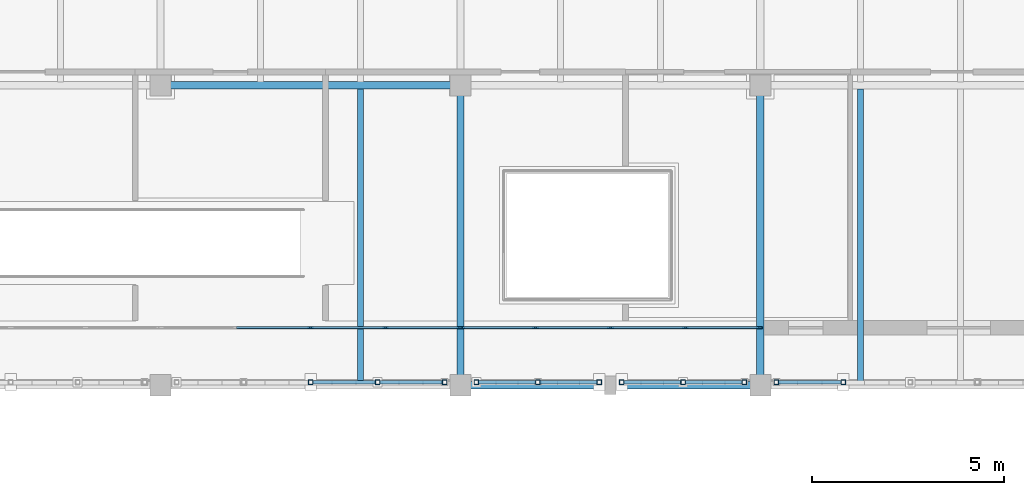
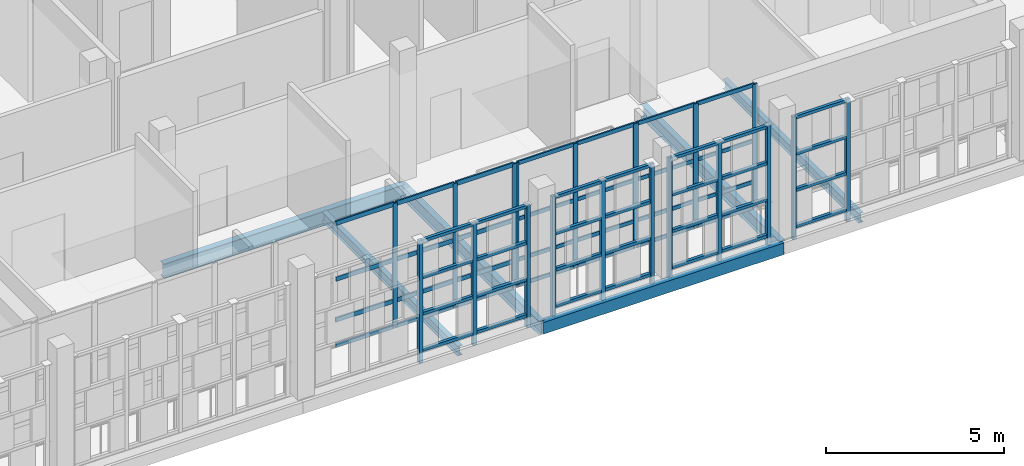
# One storey, part 58 of 119: 75 members, 6 beams, 2 elements without a shape of their own.
"""IFC4 building model written with IfcOpenShell, lengths in metres."""

from ifc_helpers import new_model, si_unit, direction, frame, origin, origin_2d, place, context, subcontext, project, spatial, rectangle, hollow_rectangle, i_section, extrude, material, layer, layer_set, material_profile, profile_set, type_object, element, aggregate, save


model = new_model("IFC4")

# Units and contexts
model_context = context("Model", 3, precision=1e-05, world=origin(), true_north=direction((0.0, 1.0)))
body_context = subcontext(model_context, "Body", "Model", "MODEL_VIEW")
ifc_project = project(units=[si_unit("LENGTHUNIT", "METRE"), si_unit("AREAUNIT", "SQUARE_METRE"), si_unit("VOLUMEUNIT", "CUBIC_METRE"), si_unit("PLANEANGLEUNIT", "RADIAN"), si_unit("MASSUNIT", "GRAM", prefix="KILO")], contexts=[model_context])

# Site, building, storey
site_placement = place(None, origin())
site = spatial("IfcSite", under=ifc_project, at=site_placement, CompositionType="ELEMENT")
building_placement = place(site_placement, origin())
building = spatial("IfcBuilding", under=site, at=building_placement, Name="Celorna Specialist Clinic", CompositionType="ELEMENT")
storey_placement = place(building_placement, frame((0.0, 0.0, 9.60009765625)))
storey = spatial("IfcBuildingStorey", under=building, at=storey_placement, Name="L02", CompositionType="ELEMENT", Elevation=9.60009765625)

# Beams
ifc_material_1 = material(Name="Steel S355", Category="steel")
ifc_material_profile_1 = material_profile(ifc_material_1, i_section(OverallWidth=0.199951171875, OverallDepth=0.5, WebThickness=0.01025390625, FlangeThickness=0.01611328125, at=origin_2d()), Name="IPE 500")
ifc_profile_set_1 = profile_set([ifc_material_profile_1], Name="Steel S355")
beam_type_1 = type_object("IfcBeamType", Name="BM-08", PredefinedType="BEAM", material=ifc_profile_set_1)
beam_1_placement = place(storey_placement, frame((109.199951171875, 104.300048828125, -0.510009765625), z_axis=(1.0, 0.0, 0.0), x_axis=(0.0, 1.0, 0.0)))
element("IfcBeam", 1, at=beam_1_placement, inside=storey, type_object=beam_type_1, Name="Primary girder BM-08 #1085", PredefinedType="BEAM", context=body_context, shape_type="SweptSolid", body=[
    extrude(i_section(OverallWidth=0.199951171875, OverallDepth=0.5, WebThickness=0.01025390625, FlangeThickness=0.01611328125, at=origin_2d()), origin(), (0.0, 0.0, 1.0), 7.800048828125),
])
ifc_material_profile_2 = material_profile(ifc_material_1, i_section(OverallWidth=0.18994140625, OverallDepth=0.449951171875, WebThickness=0.009521484375, FlangeThickness=0.0146484375, at=origin_2d()), Name="IPE 450")
ifc_profile_set_2 = profile_set([ifc_material_profile_2], Name="Steel S355")
beam_type_2 = type_object("IfcBeamType", Name="BM-09", PredefinedType="BEAM", material=ifc_profile_set_2)
for number, where, z_axis, x_axis, name in (
    (2, (117.0, 96.5, -0.485107421875), (0.0, 1.0, 0.0), (-1.0, 0.0, 0.0), "Transverse girder BM-09 #1136"),
    (3, (124.800048828125, 96.5, -0.485107421875), (0.0, 1.0, 0.0), (-1.0, 0.0, 0.0), "Transverse girder BM-09 #1139"),
):
    element("IfcBeam", number, at=place(storey_placement, frame(where, z_axis=z_axis, x_axis=x_axis)), inside=storey, type_object=beam_type_2, Name=name, PredefinedType="BEAM", context=body_context, shape_type="SweptSolid", body=[
        extrude(i_section(OverallWidth=0.18994140625, OverallDepth=0.449951171875, WebThickness=0.009521484375, FlangeThickness=0.0146484375, at=origin_2d()), origin(), (0.0, 0.0, 1.0), 7.800048828125),
    ])
ifc_material_profile_3 = material_profile(ifc_material_1, i_section(OverallWidth=0.159912109375, OverallDepth=0.330078125, WebThickness=0.007568359375, FlangeThickness=0.011474609375, at=origin_2d()), Name="IPE 330")
ifc_profile_set_3 = profile_set([ifc_material_profile_3], Name="Steel S355")
beam_type_3 = type_object("IfcBeamType", Name="BM-12", PredefinedType="JOIST", material=ifc_profile_set_3)
for number, where, z_axis, x_axis, name in (
    (4, (114.39990234375, 96.587890625, -0.425048828125), (0.0, 1.0, 0.0), (-1.0, 0.0, 0.0), "Secondary floor joist BM-12 #1188"),
    (5, (127.39990234375, 96.587890625, -0.425048828125), (0.0, 1.0, 0.0), (-1.0, 0.0, 0.0), "Secondary floor joist BM-12 #1195"),
):
    element("IfcBeam", number, at=place(storey_placement, frame(where, z_axis=z_axis, x_axis=x_axis)), inside=storey, type_object=beam_type_3, Name=name, PredefinedType="JOIST", context=body_context, shape_type="SweptSolid", body=[
        extrude(i_section(OverallWidth=0.159912109375, OverallDepth=0.330078125, WebThickness=0.007568359375, FlangeThickness=0.011474609375, at=origin_2d()), origin(), (0.0, 0.0, 1.0), 7.6240234375),
    ])
ifc_material_profile_4 = material_profile(ifc_material_1, hollow_rectangle(XDim=0.199951171875, YDim=0.39990234375, WallThickness=0.011962890625, at=origin_2d()), Name="RHS 200x400x12")
ifc_profile_set_4 = profile_set([ifc_material_profile_4], Name="Steel S355")
beam_type_4 = type_object("IfcBeamType", Name="BM-15", PredefinedType="SPANDREL", material=ifc_profile_set_4)
beam_2_placement = place(storey_placement, frame((117.0, 96.5, -0.460205078125), z_axis=(1.0, 0.0, 0.0), x_axis=(0.0, 1.0, 0.0)))
element("IfcBeam", 6, at=beam_2_placement, inside=storey, type_object=beam_type_4, Name="Spandrel beam BM-15 #1075", PredefinedType="SPANDREL", context=body_context, shape_type="SweptSolid", body=[
    extrude(hollow_rectangle(XDim=0.199951171875, YDim=0.39990234375, WallThickness=0.011962890625, at=origin_2d()), origin(), (0.0, 0.0, 1.0), 7.800048828125),
])

# Members
ifc_material_profile_5 = material_profile(ifc_material_1, hollow_rectangle(XDim=0.1201171875, YDim=0.1201171875, WallThickness=0.008056640625, at=origin_2d()), Name="SHS 120x120x8")
ifc_profile_set_5 = profile_set([ifc_material_profile_5], Name="Steel S355")
member_type_1 = type_object("IfcMemberType", Name="MB-11", PredefinedType="STUD", material=ifc_profile_set_5)
for number, where, z_axis, x_axis, name in (
    (7, (113.10009765625, 96.580078125, -0.360107421875), (0.0, 0.0, 1.0), (1.0, 0.0, 0.0), "Perforated screen steel post #1168"),
    (8, (114.842529296875, 96.580078125, -0.360107421875), (0.0, 0.0, 1.0), (1.0, 0.0, 0.0), "Perforated screen steel post #1169"),
    (9, (116.5849609375, 96.580078125, -0.360107421875), (0.0, 0.0, 1.0), (1.0, 0.0, 0.0), "Perforated screen steel post #1170"),
    (10, (117.4150390625, 96.580078125, -0.360107421875), (0.0, 0.0, 1.0), (1.0, 0.0, 0.0), "Perforated screen steel post #1187"),
    (11, (119.012451171875, 96.580078125, -0.360107421875), (0.0, 0.0, 1.0), (1.0, 0.0, 0.0), "Perforated screen steel post #1188"),
    (12, (120.610107421875, 96.580078125, -0.360107421875), (0.0, 0.0, 1.0), (1.0, 0.0, 0.0), "Perforated screen steel post #1189"),
    (13, (121.18994140625, 96.580078125, -0.360107421875), (0.0, 0.0, 1.0), (1.0, 0.0, 0.0), "Perforated screen steel post #1198"),
    (14, (122.78759765625, 96.580078125, -0.360107421875), (0.0, 0.0, 1.0), (1.0, 0.0, 0.0), "Perforated screen steel post #1199"),
    (15, (124.385009765625, 96.580078125, -0.360107421875), (0.0, 0.0, 1.0), (1.0, 0.0, 0.0), "Perforated screen steel post #1200"),
    (16, (125.215087890625, 96.580078125, -0.360107421875), (0.0, 0.0, 1.0), (1.0, 0.0, 0.0), "Perforated screen steel post #1209"),
    (17, (126.95751953125, 96.580078125, -0.360107421875), (0.0, 0.0, 1.0), (1.0, 0.0, 0.0), "Perforated screen steel post #1210"),
):
    element("IfcMember", number, at=place(storey_placement, frame(where, z_axis=z_axis, x_axis=x_axis)), inside=storey, type_object=member_type_1, Name=name, PredefinedType="STUD", context=body_context, shape_type="SweptSolid", body=[
        extrude(hollow_rectangle(XDim=0.1201171875, YDim=0.1201171875, WallThickness=0.008056640625, at=origin_2d()), origin(), (0.0, 0.0, 1.0), 4.199951171875),
    ])
ifc_material_profile_6 = material_profile(ifc_material_1, hollow_rectangle(XDim=0.10009765625, YDim=0.10009765625, WallThickness=0.006103515625, at=origin_2d()), Name="SHS 100x100x6")
ifc_profile_set_6 = profile_set([ifc_material_profile_6], Name="Steel S355")
member_type_2 = type_object("IfcMemberType", Name="MB-12", PredefinedType="STUD", material=ifc_profile_set_6)
for number, where, z_axis, x_axis, name in (
    (18, (113.159912109375, 96.580078125, 0.0498046875), (1.0, 0.0, 0.0), (0.0, 1.0, 0.0), "Perforated screen rail #1179"),
    (19, (113.159912109375, 96.580078125, 1.296630859375), (1.0, 0.0, 0.0), (0.0, 1.0, 0.0), "Perforated screen rail #1180"),
    (20, (113.159912109375, 96.580078125, 2.543212890625), (1.0, 0.0, 0.0), (0.0, 1.0, 0.0), "Perforated screen rail #1181"),
    (21, (113.159912109375, 96.580078125, 3.789794921875), (1.0, 0.0, 0.0), (0.0, 1.0, 0.0), "Perforated screen rail #1182"),
):
    element("IfcMember", number, at=place(storey_placement, frame(where, z_axis=z_axis, x_axis=x_axis)), inside=storey, type_object=member_type_2, Name=name, PredefinedType="STUD", context=body_context, shape_type="SweptSolid", body=[
        extrude(hollow_rectangle(XDim=0.10009765625, YDim=0.10009765625, WallThickness=0.006103515625, at=origin_2d()), origin(), (0.0, 0.0, 1.0), 1.62255859375),
    ])
for number, where, z_axis, x_axis, name in (
    (22, (114.902587890625, 96.580078125, 0.0498046875), (1.0, 0.0, 0.0), (0.0, 1.0, 0.0), "Perforated screen rail #1183"),
    (23, (114.902587890625, 96.580078125, 1.296630859375), (1.0, 0.0, 0.0), (0.0, 1.0, 0.0), "Perforated screen rail #1184"),
    (24, (114.902587890625, 96.580078125, 2.543212890625), (1.0, 0.0, 0.0), (0.0, 1.0, 0.0), "Perforated screen rail #1185"),
    (25, (114.902587890625, 96.580078125, 3.789794921875), (1.0, 0.0, 0.0), (0.0, 1.0, 0.0), "Perforated screen rail #1186"),
):
    element("IfcMember", number, at=place(storey_placement, frame(where, z_axis=z_axis, x_axis=x_axis)), inside=storey, type_object=member_type_2, Name=name, PredefinedType="STUD", context=body_context, shape_type="SweptSolid", body=[
        extrude(hollow_rectangle(XDim=0.10009765625, YDim=0.10009765625, WallThickness=0.006103515625, at=origin_2d()), origin(), (0.0, 0.0, 1.0), 1.622314453125),
    ])
for number, where, z_axis, x_axis, name in (
    (26, (117.47509765625, 96.580078125, 0.0498046875), (1.0, 0.0, 0.0), (0.0, 1.0, 0.0), "Perforated screen rail #1190"),
    (27, (117.47509765625, 96.580078125, 1.296630859375), (1.0, 0.0, 0.0), (0.0, 1.0, 0.0), "Perforated screen rail #1191"),
    (28, (117.47509765625, 96.580078125, 2.543212890625), (1.0, 0.0, 0.0), (0.0, 1.0, 0.0), "Perforated screen rail #1192"),
    (29, (117.47509765625, 96.580078125, 3.789794921875), (1.0, 0.0, 0.0), (0.0, 1.0, 0.0), "Perforated screen rail #1193"),
):
    element("IfcMember", number, at=place(storey_placement, frame(where, z_axis=z_axis, x_axis=x_axis)), inside=storey, type_object=member_type_2, Name=name, PredefinedType="STUD", context=body_context, shape_type="SweptSolid", body=[
        extrude(hollow_rectangle(XDim=0.10009765625, YDim=0.10009765625, WallThickness=0.006103515625, at=origin_2d()), origin(), (0.0, 0.0, 1.0), 1.477294921875),
    ])
for number, where, z_axis, x_axis, name in (
    (30, (119.072509765625, 96.580078125, 0.0498046875), (1.0, 0.0, 0.0), (0.0, 1.0, 0.0), "Perforated screen rail #1194"),
    (31, (119.072509765625, 96.580078125, 1.296630859375), (1.0, 0.0, 0.0), (0.0, 1.0, 0.0), "Perforated screen rail #1195"),
    (32, (119.072509765625, 96.580078125, 2.543212890625), (1.0, 0.0, 0.0), (0.0, 1.0, 0.0), "Perforated screen rail #1196"),
    (33, (119.072509765625, 96.580078125, 3.789794921875), (1.0, 0.0, 0.0), (0.0, 1.0, 0.0), "Perforated screen rail #1197"),
    (34, (121.25, 96.580078125, 0.0498046875), (1.0, 0.0, 0.0), (0.0, 1.0, 0.0), "Perforated screen rail #1201"),
    (35, (121.25, 96.580078125, 1.296630859375), (1.0, 0.0, 0.0), (0.0, 1.0, 0.0), "Perforated screen rail #1202"),
    (36, (121.25, 96.580078125, 2.543212890625), (1.0, 0.0, 0.0), (0.0, 1.0, 0.0), "Perforated screen rail #1203"),
    (37, (121.25, 96.580078125, 3.789794921875), (1.0, 0.0, 0.0), (0.0, 1.0, 0.0), "Perforated screen rail #1204"),
    (38, (122.847412109375, 96.580078125, 0.0498046875), (1.0, 0.0, 0.0), (0.0, 1.0, 0.0), "Perforated screen rail #1205"),
    (39, (122.847412109375, 96.580078125, 1.296630859375), (1.0, 0.0, 0.0), (0.0, 1.0, 0.0), "Perforated screen rail #1206"),
    (40, (122.847412109375, 96.580078125, 2.543212890625), (1.0, 0.0, 0.0), (0.0, 1.0, 0.0), "Perforated screen rail #1207"),
    (41, (122.847412109375, 96.580078125, 3.789794921875), (1.0, 0.0, 0.0), (0.0, 1.0, 0.0), "Perforated screen rail #1208"),
):
    element("IfcMember", number, at=place(storey_placement, frame(where, z_axis=z_axis, x_axis=x_axis)), inside=storey, type_object=member_type_2, Name=name, PredefinedType="STUD", context=body_context, shape_type="SweptSolid", body=[
        extrude(hollow_rectangle(XDim=0.10009765625, YDim=0.10009765625, WallThickness=0.006103515625, at=origin_2d()), origin(), (0.0, 0.0, 1.0), 1.4775390625),
    ])
for number, where, z_axis, x_axis, name in (
    (42, (125.27490234375, 96.580078125, 0.0498046875), (1.0, 0.0, 0.0), (0.0, 1.0, 0.0), "Perforated screen rail #1214"),
    (43, (125.27490234375, 96.580078125, 1.296630859375), (1.0, 0.0, 0.0), (0.0, 1.0, 0.0), "Perforated screen rail #1215"),
    (44, (125.27490234375, 96.580078125, 2.543212890625), (1.0, 0.0, 0.0), (0.0, 1.0, 0.0), "Perforated screen rail #1216"),
    (45, (125.27490234375, 96.580078125, 3.789794921875), (1.0, 0.0, 0.0), (0.0, 1.0, 0.0), "Perforated screen rail #1217"),
):
    element("IfcMember", number, at=place(storey_placement, frame(where, z_axis=z_axis, x_axis=x_axis)), inside=storey, type_object=member_type_2, Name=name, PredefinedType="STUD", context=body_context, shape_type="SweptSolid", body=[
        extrude(hollow_rectangle(XDim=0.10009765625, YDim=0.10009765625, WallThickness=0.006103515625, at=origin_2d()), origin(), (0.0, 0.0, 1.0), 1.62255859375),
    ])

# Curtain wall, members
ifc_material_2 = material(Name="Thermally broken aluminium and solar-control glass curtain wall", Category="aluminium")
ifc_layer_1 = layer(ifc_material_2, 0.159912109375, Name="Thermally broken aluminium and solar-control glass curtain wall")
ifc_layer_set_1 = layer_set([ifc_layer_1], Name="Thermally broken aluminium and solar-control glass curtain wall")
curtain_wall_type_1 = type_object("IfcCurtainWallType", Name="CW-68", PredefinedType="NOTDEFINED", material=ifc_layer_set_1)
curtain_wall_1_placement = place(storey_placement, origin())
curtain_wall_1 = element("IfcCurtainWall", 46, at=curtain_wall_1_placement, inside=storey, type_object=curtain_wall_type_1, Name="Curtain wall CW-68 #128", PredefinedType="NOTDEFINED")
ifc_material_3 = material(Name="Anodized aluminium mullion", Category="aluminium")
ifc_material_profile_7 = material_profile(ifc_material_3, rectangle(XDim=0.050048828125, YDim=0.159912109375, at=origin_2d()), Name="ALU MULLION 50x160")
ifc_profile_set_7 = profile_set([ifc_material_profile_7], Name="Anodized aluminium mullion")
member_type_3 = type_object("IfcMemberType", Name="ML-01", PredefinedType="MULLION", material=ifc_profile_set_7)
member_1_placement = place(storey_placement, frame((124.77099609375, 98.0, 0.0), z_axis=(0.0, 0.0, 1.0), x_axis=(0.0, -1.0, 0.0)))
member_1 = element("IfcMember", 47, at=member_1_placement, type_object=member_type_3, Name="CW-68 mullion 1", PredefinedType="MULLION", context=body_context, shape_type="SweptSolid", body=[
    extrude(rectangle(XDim=0.050048828125, YDim=0.159912109375, at=origin_2d()), origin(), (0.0, 0.0, 1.0), 4.239990234375),
])
member_2_placement = place(storey_placement, frame((122.847900390625, 98.0, 0.0), z_axis=(0.0, 0.0, 1.0), x_axis=(0.0, -1.0, 0.0)))
member_2 = element("IfcMember", 48, at=member_2_placement, type_object=member_type_3, Name="CW-68 mullion 2", PredefinedType="MULLION", context=body_context, shape_type="SweptSolid", body=[
    extrude(rectangle(XDim=0.050048828125, YDim=0.159912109375, at=origin_2d()), origin(), (0.0, 0.0, 1.0), 4.239990234375),
])
member_3_placement = place(storey_placement, frame((120.89990234375, 98.0, 0.0), z_axis=(0.0, 0.0, 1.0), x_axis=(0.0, -1.0, 0.0)))
member_3 = element("IfcMember", 49, at=member_3_placement, type_object=member_type_3, Name="CW-68 mullion 3", PredefinedType="MULLION", context=body_context, shape_type="SweptSolid", body=[
    extrude(rectangle(XDim=0.050048828125, YDim=0.159912109375, at=origin_2d()), origin(), (0.0, 0.0, 1.0), 4.239990234375),
])
member_4_placement = place(storey_placement, frame((118.951904296875, 98.0, 0.0), z_axis=(0.0, 0.0, 1.0), x_axis=(0.0, -1.0, 0.0)))
member_4 = element("IfcMember", 50, at=member_4_placement, type_object=member_type_3, Name="CW-68 mullion 4", PredefinedType="MULLION", context=body_context, shape_type="SweptSolid", body=[
    extrude(rectangle(XDim=0.050048828125, YDim=0.159912109375, at=origin_2d()), origin(), (0.0, 0.0, 1.0), 4.239990234375),
])
member_5_placement = place(storey_placement, frame((117.029052734375, 98.0, 0.0), z_axis=(0.0, 0.0, 1.0), x_axis=(0.0, -1.0, 0.0)))
member_5 = element("IfcMember", 51, at=member_5_placement, type_object=member_type_3, Name="CW-68 mullion 5", PredefinedType="MULLION", context=body_context, shape_type="SweptSolid", body=[
    extrude(rectangle(XDim=0.050048828125, YDim=0.159912109375, at=origin_2d()), origin(), (0.0, 0.0, 1.0), 4.239990234375),
])

ifc_layer_2 = layer(ifc_material_2, 0.159912109375, Name="Thermally broken aluminium and solar-control glass curtain wall")
ifc_layer_set_2 = layer_set([ifc_layer_2], Name="Thermally broken aluminium and solar-control glass curtain wall")
curtain_wall_type_2 = type_object("IfcCurtainWallType", Name="CW-32", PredefinedType="NOTDEFINED", material=ifc_layer_set_2)
curtain_wall_2_placement = place(storey_placement, origin())
curtain_wall_2 = element("IfcCurtainWall", 52, at=curtain_wall_2_placement, inside=storey, type_object=curtain_wall_type_2, Name="Curtain wall CW-32 #127", PredefinedType="NOTDEFINED")
ifc_material_profile_8 = material_profile(ifc_material_3, rectangle(XDim=0.050048828125, YDim=0.139892578125, at=origin_2d()), Name="ALU MULLION 50x140")
ifc_profile_set_8 = profile_set([ifc_material_profile_8], Name="Anodized aluminium mullion")
member_type_4 = type_object("IfcMemberType", Name="ML-03", PredefinedType="MULLION", material=ifc_profile_set_8)
member_6_placement = place(storey_placement, frame((116.970947265625, 98.0, 0.0), z_axis=(0.0, 0.0, 1.0), x_axis=(0.0, -1.0, 0.0)))
member_6 = element("IfcMember", 53, at=member_6_placement, type_object=member_type_4, Name="CW-32 mullion 1", PredefinedType="MULLION", context=body_context, shape_type="SweptSolid", body=[
    extrude(rectangle(XDim=0.050048828125, YDim=0.139892578125, at=origin_2d()), origin(), (0.0, 0.0, 1.0), 4.239990234375),
])
member_7_placement = place(storey_placement, frame((115.048095703125, 98.0, 0.0), z_axis=(0.0, 0.0, 1.0), x_axis=(0.0, -1.0, 0.0)))
member_7 = element("IfcMember", 54, at=member_7_placement, type_object=member_type_4, Name="CW-32 mullion 2", PredefinedType="MULLION", context=body_context, shape_type="SweptSolid", body=[
    extrude(rectangle(XDim=0.050048828125, YDim=0.139892578125, at=origin_2d()), origin(), (0.0, 0.0, 1.0), 4.239990234375),
])
member_8_placement = place(storey_placement, frame((113.10009765625, 98.0, 0.0), z_axis=(0.0, 0.0, 1.0), x_axis=(0.0, -1.0, 0.0)))
member_8 = element("IfcMember", 55, at=member_8_placement, type_object=member_type_4, Name="CW-32 mullion 3", PredefinedType="MULLION", context=body_context, shape_type="SweptSolid", body=[
    extrude(rectangle(XDim=0.050048828125, YDim=0.139892578125, at=origin_2d()), origin(), (0.0, 0.0, 1.0), 4.239990234375),
])

# Member
ifc_material_4 = material(Name="Anodized aluminium transom", Category="aluminium")
ifc_material_profile_9 = material_profile(ifc_material_4, rectangle(XDim=0.050048828125, YDim=0.1298828125, at=origin_2d()), Name="ALU TRANSOM 50x130")
ifc_profile_set_9 = profile_set([ifc_material_profile_9], Name="Anodized aluminium transom")
member_type_5 = type_object("IfcMemberType", Name="TR-01", PredefinedType="USERDEFINED", material=ifc_profile_set_9)
member_9_placement = place(storey_placement, frame((124.74609375, 98.0, 0.02490234375), z_axis=(-1.0, 0.0, 0.0), x_axis=(0.0, -1.0, 0.0)))
member_9 = element("IfcMember", 56, at=member_9_placement, type_object=member_type_5, Name="CW-68 transom 1.1", ObjectType="TRANSOM", PredefinedType="USERDEFINED", context=body_context, shape_type="SweptSolid", body=[
    extrude(rectangle(XDim=0.050048828125, YDim=0.1298828125, at=origin_2d()), origin(), (0.0, 0.0, 1.0), 1.873046875),
])

member_10_placement = place(storey_placement, frame((124.74609375, 98.0, 0.89990234375), z_axis=(-1.0, 0.0, 0.0), x_axis=(0.0, -1.0, 0.0)))
member_10 = element("IfcMember", 57, at=member_10_placement, type_object=member_type_5, Name="CW-68 transom 1.2", ObjectType="TRANSOM", PredefinedType="USERDEFINED", context=body_context, shape_type="SweptSolid", body=[
    extrude(rectangle(XDim=0.050048828125, YDim=0.1298828125, at=origin_2d()), origin(), (0.0, 0.0, 1.0), 1.873046875),
])

member_11_placement = place(storey_placement, frame((124.74609375, 98.0, 2.2998046875), z_axis=(-1.0, 0.0, 0.0), x_axis=(0.0, -1.0, 0.0)))
member_11 = element("IfcMember", 58, at=member_11_placement, type_object=member_type_5, Name="CW-68 transom 1.3", ObjectType="TRANSOM", PredefinedType="USERDEFINED", context=body_context, shape_type="SweptSolid", body=[
    extrude(rectangle(XDim=0.050048828125, YDim=0.1298828125, at=origin_2d()), origin(), (0.0, 0.0, 1.0), 1.873046875),
])

member_12_placement = place(storey_placement, frame((124.74609375, 98.0, 4.21484375), z_axis=(-1.0, 0.0, 0.0), x_axis=(0.0, -1.0, 0.0)))
member_12 = element("IfcMember", 59, at=member_12_placement, type_object=member_type_5, Name="CW-68 transom 1.4", ObjectType="TRANSOM", PredefinedType="USERDEFINED", context=body_context, shape_type="SweptSolid", body=[
    extrude(rectangle(XDim=0.050048828125, YDim=0.1298828125, at=origin_2d()), origin(), (0.0, 0.0, 1.0), 1.873046875),
])

member_13_placement = place(storey_placement, frame((122.822998046875, 98.0, 0.02490234375), z_axis=(-1.0, 0.0, 0.0), x_axis=(0.0, -1.0, 0.0)))
member_13 = element("IfcMember", 60, at=member_13_placement, type_object=member_type_5, Name="CW-68 transom 2.1", ObjectType="TRANSOM", PredefinedType="USERDEFINED", context=body_context, shape_type="SweptSolid", body=[
    extrude(rectangle(XDim=0.050048828125, YDim=0.1298828125, at=origin_2d()), origin(), (0.0, 0.0, 1.0), 1.89794921875),
])

member_14_placement = place(storey_placement, frame((122.822998046875, 98.0, 0.89990234375), z_axis=(-1.0, 0.0, 0.0), x_axis=(0.0, -1.0, 0.0)))
member_14 = element("IfcMember", 61, at=member_14_placement, type_object=member_type_5, Name="CW-68 transom 2.2", ObjectType="TRANSOM", PredefinedType="USERDEFINED", context=body_context, shape_type="SweptSolid", body=[
    extrude(rectangle(XDim=0.050048828125, YDim=0.1298828125, at=origin_2d()), origin(), (0.0, 0.0, 1.0), 1.89794921875),
])

member_15_placement = place(storey_placement, frame((122.822998046875, 98.0, 2.2998046875), z_axis=(-1.0, 0.0, 0.0), x_axis=(0.0, -1.0, 0.0)))
member_15 = element("IfcMember", 62, at=member_15_placement, type_object=member_type_5, Name="CW-68 transom 2.3", ObjectType="TRANSOM", PredefinedType="USERDEFINED", context=body_context, shape_type="SweptSolid", body=[
    extrude(rectangle(XDim=0.050048828125, YDim=0.1298828125, at=origin_2d()), origin(), (0.0, 0.0, 1.0), 1.89794921875),
])

member_16_placement = place(storey_placement, frame((122.822998046875, 98.0, 4.21484375), z_axis=(-1.0, 0.0, 0.0), x_axis=(0.0, -1.0, 0.0)))
member_16 = element("IfcMember", 63, at=member_16_placement, type_object=member_type_5, Name="CW-68 transom 2.4", ObjectType="TRANSOM", PredefinedType="USERDEFINED", context=body_context, shape_type="SweptSolid", body=[
    extrude(rectangle(XDim=0.050048828125, YDim=0.1298828125, at=origin_2d()), origin(), (0.0, 0.0, 1.0), 1.89794921875),
])

member_17_placement = place(storey_placement, frame((120.875, 98.0, 0.02490234375), z_axis=(-1.0, 0.0, 0.0), x_axis=(0.0, -1.0, 0.0)))
member_17 = element("IfcMember", 64, at=member_17_placement, type_object=member_type_5, Name="CW-68 transom 3.1", ObjectType="TRANSOM", PredefinedType="USERDEFINED", context=body_context, shape_type="SweptSolid", body=[
    extrude(rectangle(XDim=0.050048828125, YDim=0.1298828125, at=origin_2d()), origin(), (0.0, 0.0, 1.0), 1.89794921875),
])

member_18_placement = place(storey_placement, frame((120.875, 98.0, 0.89990234375), z_axis=(-1.0, 0.0, 0.0), x_axis=(0.0, -1.0, 0.0)))
member_18 = element("IfcMember", 65, at=member_18_placement, type_object=member_type_5, Name="CW-68 transom 3.2", ObjectType="TRANSOM", PredefinedType="USERDEFINED", context=body_context, shape_type="SweptSolid", body=[
    extrude(rectangle(XDim=0.050048828125, YDim=0.1298828125, at=origin_2d()), origin(), (0.0, 0.0, 1.0), 1.89794921875),
])

member_19_placement = place(storey_placement, frame((120.875, 98.0, 2.2998046875), z_axis=(-1.0, 0.0, 0.0), x_axis=(0.0, -1.0, 0.0)))
member_19 = element("IfcMember", 66, at=member_19_placement, type_object=member_type_5, Name="CW-68 transom 3.3", ObjectType="TRANSOM", PredefinedType="USERDEFINED", context=body_context, shape_type="SweptSolid", body=[
    extrude(rectangle(XDim=0.050048828125, YDim=0.1298828125, at=origin_2d()), origin(), (0.0, 0.0, 1.0), 1.89794921875),
])

member_20_placement = place(storey_placement, frame((120.875, 98.0, 4.21484375), z_axis=(-1.0, 0.0, 0.0), x_axis=(0.0, -1.0, 0.0)))
member_20 = element("IfcMember", 67, at=member_20_placement, type_object=member_type_5, Name="CW-68 transom 3.4", ObjectType="TRANSOM", PredefinedType="USERDEFINED", context=body_context, shape_type="SweptSolid", body=[
    extrude(rectangle(XDim=0.050048828125, YDim=0.1298828125, at=origin_2d()), origin(), (0.0, 0.0, 1.0), 1.89794921875),
])

member_21_placement = place(storey_placement, frame((118.927001953125, 98.0, 0.02490234375), z_axis=(-1.0, 0.0, 0.0), x_axis=(0.0, -1.0, 0.0)))
member_21 = element("IfcMember", 68, at=member_21_placement, type_object=member_type_5, Name="CW-68 transom 4.1", ObjectType="TRANSOM", PredefinedType="USERDEFINED", context=body_context, shape_type="SweptSolid", body=[
    extrude(rectangle(XDim=0.050048828125, YDim=0.1298828125, at=origin_2d()), origin(), (0.0, 0.0, 1.0), 1.873046875),
])

member_22_placement = place(storey_placement, frame((118.927001953125, 98.0, 0.89990234375), z_axis=(-1.0, 0.0, 0.0), x_axis=(0.0, -1.0, 0.0)))
member_22 = element("IfcMember", 69, at=member_22_placement, type_object=member_type_5, Name="CW-68 transom 4.2", ObjectType="TRANSOM", PredefinedType="USERDEFINED", context=body_context, shape_type="SweptSolid", body=[
    extrude(rectangle(XDim=0.050048828125, YDim=0.1298828125, at=origin_2d()), origin(), (0.0, 0.0, 1.0), 1.873046875),
])

member_23_placement = place(storey_placement, frame((118.927001953125, 98.0, 2.2998046875), z_axis=(-1.0, 0.0, 0.0), x_axis=(0.0, -1.0, 0.0)))
member_23 = element("IfcMember", 70, at=member_23_placement, type_object=member_type_5, Name="CW-68 transom 4.3", ObjectType="TRANSOM", PredefinedType="USERDEFINED", context=body_context, shape_type="SweptSolid", body=[
    extrude(rectangle(XDim=0.050048828125, YDim=0.1298828125, at=origin_2d()), origin(), (0.0, 0.0, 1.0), 1.873046875),
])

member_24_placement = place(storey_placement, frame((118.927001953125, 98.0, 4.21484375), z_axis=(-1.0, 0.0, 0.0), x_axis=(0.0, -1.0, 0.0)))
member_24 = element("IfcMember", 71, at=member_24_placement, type_object=member_type_5, Name="CW-68 transom 4.4", ObjectType="TRANSOM", PredefinedType="USERDEFINED", context=body_context, shape_type="SweptSolid", body=[
    extrude(rectangle(XDim=0.050048828125, YDim=0.1298828125, at=origin_2d()), origin(), (0.0, 0.0, 1.0), 1.873046875),
])

aggregate(curtain_wall_1, [member_1, member_2, member_3, member_4, member_5, member_9, member_10, member_11, member_12, member_13, member_14, member_15, member_16, member_17, member_18, member_19, member_20, member_21, member_22, member_23, member_24])

ifc_material_profile_10 = material_profile(ifc_material_4, rectangle(XDim=0.050048828125, YDim=0.14990234375, at=origin_2d()), Name="ALU TRANSOM 50x150")
ifc_profile_set_10 = profile_set([ifc_material_profile_10], Name="Anodized aluminium transom")
member_type_6 = type_object("IfcMemberType", Name="TR-02", PredefinedType="USERDEFINED", material=ifc_profile_set_10)
member_25_placement = place(storey_placement, frame((116.946044921875, 98.0, 0.02490234375), z_axis=(-1.0, 0.0, 0.0), x_axis=(0.0, -1.0, 0.0)))
member_25 = element("IfcMember", 72, at=member_25_placement, type_object=member_type_6, Name="CW-32 transom 1.1", ObjectType="TRANSOM", PredefinedType="USERDEFINED", context=body_context, shape_type="SweptSolid", body=[
    extrude(rectangle(XDim=0.050048828125, YDim=0.14990234375, at=origin_2d()), origin(), (0.0, 0.0, 1.0), 1.873046875),
])

member_26_placement = place(storey_placement, frame((116.946044921875, 98.0, 0.89990234375), z_axis=(-1.0, 0.0, 0.0), x_axis=(0.0, -1.0, 0.0)))
member_26 = element("IfcMember", 73, at=member_26_placement, type_object=member_type_6, Name="CW-32 transom 1.2", ObjectType="TRANSOM", PredefinedType="USERDEFINED", context=body_context, shape_type="SweptSolid", body=[
    extrude(rectangle(XDim=0.050048828125, YDim=0.14990234375, at=origin_2d()), origin(), (0.0, 0.0, 1.0), 1.873046875),
])

member_27_placement = place(storey_placement, frame((116.946044921875, 98.0, 2.2998046875), z_axis=(-1.0, 0.0, 0.0), x_axis=(0.0, -1.0, 0.0)))
member_27 = element("IfcMember", 74, at=member_27_placement, type_object=member_type_6, Name="CW-32 transom 1.3", ObjectType="TRANSOM", PredefinedType="USERDEFINED", context=body_context, shape_type="SweptSolid", body=[
    extrude(rectangle(XDim=0.050048828125, YDim=0.14990234375, at=origin_2d()), origin(), (0.0, 0.0, 1.0), 1.873046875),
])

member_28_placement = place(storey_placement, frame((116.946044921875, 98.0, 4.21484375), z_axis=(-1.0, 0.0, 0.0), x_axis=(0.0, -1.0, 0.0)))
member_28 = element("IfcMember", 75, at=member_28_placement, type_object=member_type_6, Name="CW-32 transom 1.4", ObjectType="TRANSOM", PredefinedType="USERDEFINED", context=body_context, shape_type="SweptSolid", body=[
    extrude(rectangle(XDim=0.050048828125, YDim=0.14990234375, at=origin_2d()), origin(), (0.0, 0.0, 1.0), 1.873046875),
])

member_29_placement = place(storey_placement, frame((115.02294921875, 98.0, 0.02490234375), z_axis=(-1.0, 0.0, 0.0), x_axis=(0.0, -1.0, 0.0)))
member_29 = element("IfcMember", 76, at=member_29_placement, type_object=member_type_6, Name="CW-32 transom 2.1", ObjectType="TRANSOM", PredefinedType="USERDEFINED", context=body_context, shape_type="SweptSolid", body=[
    extrude(rectangle(XDim=0.050048828125, YDim=0.14990234375, at=origin_2d()), origin(), (0.0, 0.0, 1.0), 1.89794921875),
])

member_30_placement = place(storey_placement, frame((115.02294921875, 98.0, 0.89990234375), z_axis=(-1.0, 0.0, 0.0), x_axis=(0.0, -1.0, 0.0)))
member_30 = element("IfcMember", 77, at=member_30_placement, type_object=member_type_6, Name="CW-32 transom 2.2", ObjectType="TRANSOM", PredefinedType="USERDEFINED", context=body_context, shape_type="SweptSolid", body=[
    extrude(rectangle(XDim=0.050048828125, YDim=0.14990234375, at=origin_2d()), origin(), (0.0, 0.0, 1.0), 1.89794921875),
])

member_31_placement = place(storey_placement, frame((115.02294921875, 98.0, 2.2998046875), z_axis=(-1.0, 0.0, 0.0), x_axis=(0.0, -1.0, 0.0)))
member_31 = element("IfcMember", 78, at=member_31_placement, type_object=member_type_6, Name="CW-32 transom 2.3", ObjectType="TRANSOM", PredefinedType="USERDEFINED", context=body_context, shape_type="SweptSolid", body=[
    extrude(rectangle(XDim=0.050048828125, YDim=0.14990234375, at=origin_2d()), origin(), (0.0, 0.0, 1.0), 1.89794921875),
])

member_32_placement = place(storey_placement, frame((115.02294921875, 98.0, 4.21484375), z_axis=(-1.0, 0.0, 0.0), x_axis=(0.0, -1.0, 0.0)))
member_32 = element("IfcMember", 79, at=member_32_placement, type_object=member_type_6, Name="CW-32 transom 2.4", ObjectType="TRANSOM", PredefinedType="USERDEFINED", context=body_context, shape_type="SweptSolid", body=[
    extrude(rectangle(XDim=0.050048828125, YDim=0.14990234375, at=origin_2d()), origin(), (0.0, 0.0, 1.0), 1.89794921875),
])

member_33_placement = place(storey_placement, frame((113.074951171875, 98.0, 0.02490234375), z_axis=(-1.0, 0.0, 0.0), x_axis=(0.0, -1.0, 0.0)))
member_33 = element("IfcMember", 80, at=member_33_placement, type_object=member_type_6, Name="CW-32 transom 3.1", ObjectType="TRANSOM", PredefinedType="USERDEFINED", context=body_context, shape_type="SweptSolid", body=[
    extrude(rectangle(XDim=0.050048828125, YDim=0.14990234375, at=origin_2d()), origin(), (0.0, 0.0, 1.0), 1.89794921875),
])

member_34_placement = place(storey_placement, frame((113.074951171875, 98.0, 0.89990234375), z_axis=(-1.0, 0.0, 0.0), x_axis=(0.0, -1.0, 0.0)))
member_34 = element("IfcMember", 81, at=member_34_placement, type_object=member_type_6, Name="CW-32 transom 3.2", ObjectType="TRANSOM", PredefinedType="USERDEFINED", context=body_context, shape_type="SweptSolid", body=[
    extrude(rectangle(XDim=0.050048828125, YDim=0.14990234375, at=origin_2d()), origin(), (0.0, 0.0, 1.0), 1.89794921875),
])

member_35_placement = place(storey_placement, frame((113.074951171875, 98.0, 2.2998046875), z_axis=(-1.0, 0.0, 0.0), x_axis=(0.0, -1.0, 0.0)))
member_35 = element("IfcMember", 82, at=member_35_placement, type_object=member_type_6, Name="CW-32 transom 3.3", ObjectType="TRANSOM", PredefinedType="USERDEFINED", context=body_context, shape_type="SweptSolid", body=[
    extrude(rectangle(XDim=0.050048828125, YDim=0.14990234375, at=origin_2d()), origin(), (0.0, 0.0, 1.0), 1.89794921875),
])

member_36_placement = place(storey_placement, frame((113.074951171875, 98.0, 4.21484375), z_axis=(-1.0, 0.0, 0.0), x_axis=(0.0, -1.0, 0.0)))
member_36 = element("IfcMember", 83, at=member_36_placement, type_object=member_type_6, Name="CW-32 transom 3.4", ObjectType="TRANSOM", PredefinedType="USERDEFINED", context=body_context, shape_type="SweptSolid", body=[
    extrude(rectangle(XDim=0.050048828125, YDim=0.14990234375, at=origin_2d()), origin(), (0.0, 0.0, 1.0), 1.89794921875),
])

aggregate(curtain_wall_2, [member_6, member_7, member_8, member_25, member_26, member_27, member_28, member_29, member_30, member_31, member_32, member_33, member_34, member_35, member_36])

save(model, "model.ifc")
